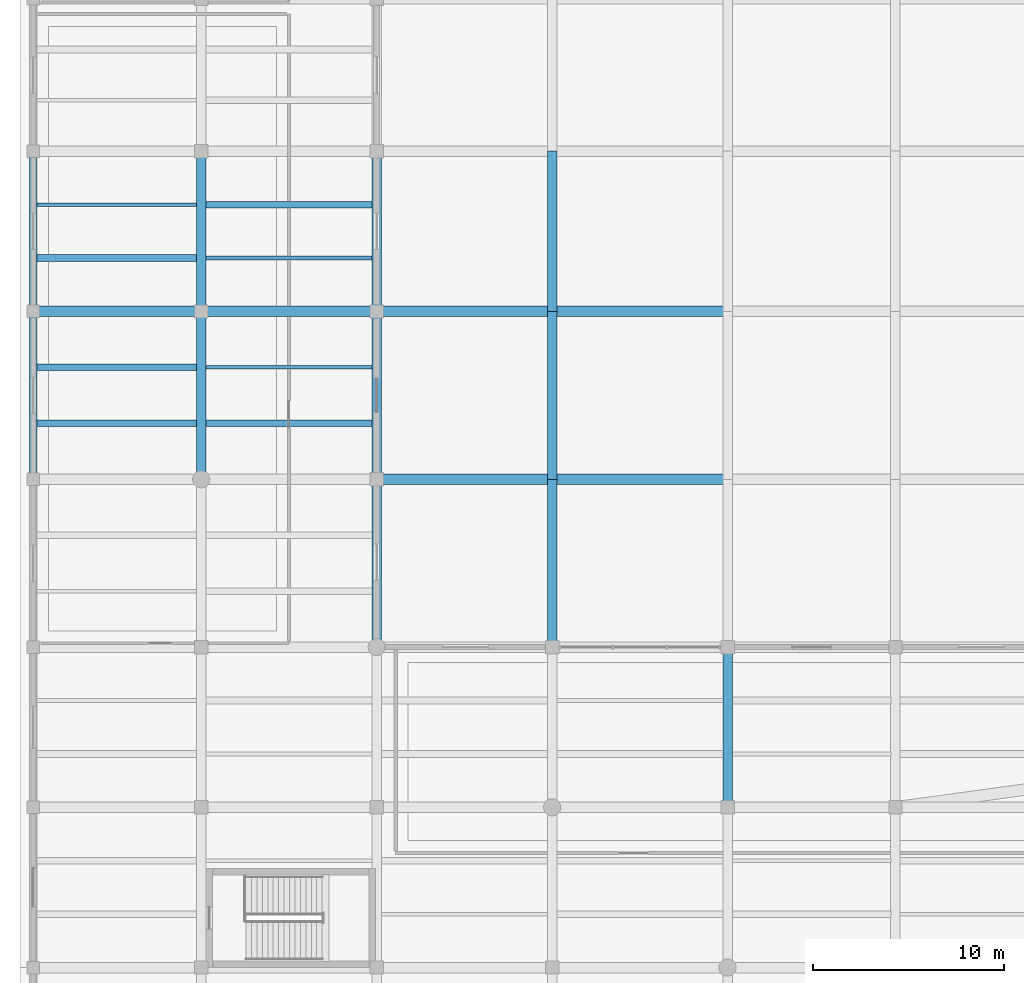
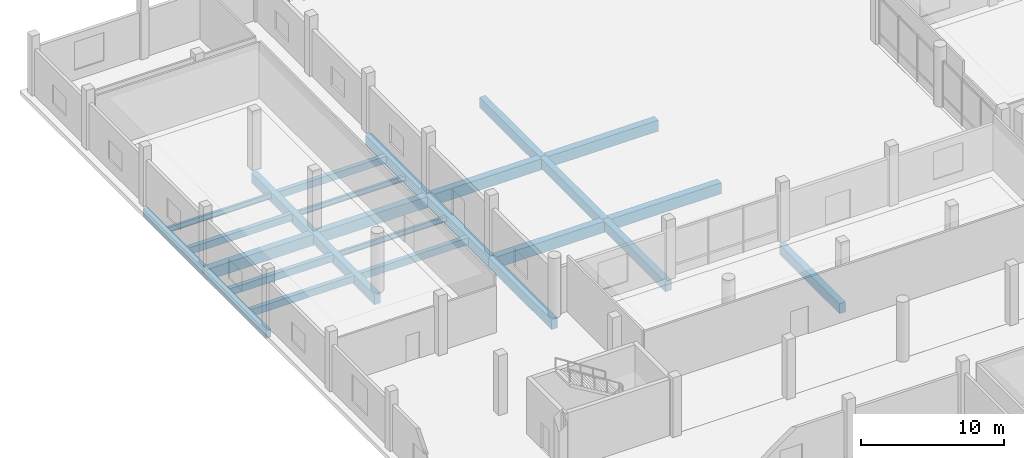
# One storey, part 24 of 73: 25 beams.
"""IFC4 building model written with IfcOpenShell, lengths in metres."""

from ifc_helpers import new_model, si_unit, direction, frame, origin, origin_2d, place, context, subcontext, project, spatial, rectangle, i_section, extrude, material, material_profile, profile_set, type_object, element, save


model = new_model("IFC4")

# Units and contexts
model_context = context("Model", 3, precision=1e-05, world=origin(), true_north=direction((0.0, 1.0)))
body_context = subcontext(model_context, "Body", "Model", "MODEL_VIEW")
ifc_project = project(units=[si_unit("LENGTHUNIT", "METRE"), si_unit("AREAUNIT", "SQUARE_METRE"), si_unit("VOLUMEUNIT", "CUBIC_METRE"), si_unit("PLANEANGLEUNIT", "RADIAN"), si_unit("MASSUNIT", "GRAM", prefix="KILO")], contexts=[model_context])

# Site, building, storey
site_placement = place(None, origin())
site = spatial("IfcSite", under=ifc_project, at=site_placement, CompositionType="ELEMENT")
building_placement = place(site_placement, origin())
building = spatial("IfcBuilding", under=site, at=building_placement, Name="Meriwether Solvik Hall", CompositionType="ELEMENT")
storey_placement = place(building_placement, origin())
storey = spatial("IfcBuildingStorey", under=building, at=storey_placement, Name="L00", CompositionType="ELEMENT", Elevation=0.0)

# Beams
ifc_material_1 = material(Name="Concrete C40/50", Category="concrete")
ifc_material_profile_1 = material_profile(ifc_material_1, rectangle(XDim=0.35009765625, YDim=0.60009765625, at=origin_2d()), Name="RCB-350X600")
ifc_profile_set_1 = profile_set([ifc_material_profile_1], Name="Concrete C40/50")
beam_type_1 = type_object("IfcBeamType", Name="BM-RC-350X600", PredefinedType="JOIST", material=ifc_profile_set_1)
for number, where, z_axis, x_axis, name in (
    (1, (5.39501953125, 86.933349609375, -0.659912109375), (1.0, 0.0, 0.0), (0.0, 1.0, 0.0), "Secondary Floor Joist 1/J_J1 (L00)"),
    (2, (5.39501953125, 89.86669921875, -0.659912109375), (1.0, 0.0, 0.0), (0.0, 1.0, 0.0), "Secondary Floor Joist 1/J_J2 (L00)"),
    (3, (5.39501953125, 95.60009765625, -0.659912109375), (1.0, 0.0, 0.0), (0.0, 1.0, 0.0), "Secondary Floor Joist 1/K_J1 (L00)"),
):
    element("IfcBeam", number, at=place(storey_placement, frame(where, z_axis=z_axis, x_axis=x_axis)), inside=storey, type_object=beam_type_1, Name=name, PredefinedType="JOIST", context=body_context, shape_type="SweptSolid", body=[
        extrude(rectangle(XDim=0.35009765625, YDim=0.60009765625, at=origin_2d()), origin(), (0.0, 0.0, 1.0), 8.35986328125),
    ])
for number, where, z_axis, x_axis, name in (
    (4, (14.2451171875, 86.933349609375, -0.659912109375), (1.0, 0.0, 0.0), (0.0, 1.0, 0.0), "Secondary Floor Joist 2/J_J1 (L00)"),
    (5, (14.2451171875, 98.39990234375, -0.659912109375), (1.0, 0.0, 0.0), (0.0, 1.0, 0.0), "Secondary Floor Joist 2/K_J2 (L00)"),
):
    element("IfcBeam", number, at=place(storey_placement, frame(where, z_axis=z_axis, x_axis=x_axis)), inside=storey, type_object=beam_type_1, Name=name, PredefinedType="JOIST", context=body_context, shape_type="SweptSolid", body=[
        extrude(rectangle(XDim=0.35009765625, YDim=0.60009765625, at=origin_2d()), origin(), (0.0, 0.0, 1.0), 8.7099609375),
    ])
ifc_material_2 = material(Name="Concrete C40/50", Category="concrete")
ifc_material_profile_2 = material_profile(ifc_material_2, rectangle(XDim=0.39990234375, YDim=0.64990234375, at=origin_2d()), Name="RCB-400X650")
ifc_profile_set_2 = profile_set([ifc_material_profile_2], Name="Concrete C40/50")
beam_type_2 = type_object("IfcBeamType", Name="BM-RC-400X650", PredefinedType="SPANDREL", material=ifc_profile_set_2)
beam_1_placement = place(storey_placement, frame((5.199951171875, 84.0, -0.68505859375), z_axis=(0.0, 1.0, 0.0), x_axis=(-1.0, 0.0, 0.0)))
element("IfcBeam", 6, at=beam_1_placement, inside=storey, type_object=beam_type_2, Name="Podium Girder 1:J-K (L00)", PredefinedType="SPANDREL", context=body_context, shape_type="SweptSolid", body=[
    extrude(rectangle(XDim=0.39990234375, YDim=0.64990234375, at=origin_2d()), origin(), (0.0, 0.0, 1.0), 8.800048828125),
])
beam_2_placement = place(storey_placement, frame((5.199951171875, 92.800048828125, -0.68505859375), z_axis=(0.0, 1.0, 0.0), x_axis=(-1.0, 0.0, 0.0)))
element("IfcBeam", 7, at=beam_2_placement, inside=storey, type_object=beam_type_2, Name="Podium Girder 1:K-L (L00)", PredefinedType="SPANDREL", context=body_context, shape_type="SweptSolid", body=[
    extrude(rectangle(XDim=0.39990234375, YDim=0.64990234375, at=origin_2d()), origin(), (0.0, 0.0, 1.0), 8.39990234375),
])
ifc_material_3 = material(Name="Concrete C40/50", Category="concrete")
ifc_material_profile_3 = material_profile(ifc_material_3, rectangle(XDim=0.5, YDim=0.85009765625, at=origin_2d()), Name="RCB-500X850")
ifc_profile_set_3 = profile_set([ifc_material_profile_3], Name="Concrete C40/50")
beam_type_3 = type_object("IfcBeamType", Name="BM-RC-500X850", PredefinedType="BEAM", material=ifc_profile_set_3)
beam_3_placement = place(storey_placement, frame((14.0, 84.0, -0.784912109375), z_axis=(0.0, 1.0, 0.0), x_axis=(-1.0, 0.0, 0.0)))
element("IfcBeam", 8, at=beam_3_placement, inside=storey, type_object=beam_type_3, Name="Podium Girder 2:J-K (L00)", PredefinedType="BEAM", context=body_context, shape_type="SweptSolid", body=[
    extrude(rectangle(XDim=0.5, YDim=0.85009765625, at=origin_2d()), origin(), (0.0, 0.0, 1.0), 8.800048828125),
])
beam_4_placement = place(storey_placement, frame((14.0, 92.800048828125, -0.784912109375), z_axis=(0.0, 1.0, 0.0), x_axis=(-1.0, 0.0, 0.0)))
element("IfcBeam", 9, at=beam_4_placement, inside=storey, type_object=beam_type_3, Name="Podium Girder 2:K-L (L00)", PredefinedType="BEAM", context=body_context, shape_type="SweptSolid", body=[
    extrude(rectangle(XDim=0.5, YDim=0.85009765625, at=origin_2d()), origin(), (0.0, 0.0, 1.0), 8.39990234375),
])
for number, where, z_axis, x_axis, name in (
    (10, (23.199951171875, 75.199951171875, -0.784912109375), (0.0, 1.0, 0.0), (-1.0, 0.0, 0.0), "Podium Girder 3:I-J (L00)"),
    (11, (23.199951171875, 84.0, -0.784912109375), (0.0, 1.0, 0.0), (-1.0, 0.0, 0.0), "Podium Girder 3:J-K (L00)"),
):
    element("IfcBeam", number, at=place(storey_placement, frame(where, z_axis=z_axis, x_axis=x_axis)), inside=storey, type_object=beam_type_3, Name=name, PredefinedType="BEAM", context=body_context, shape_type="SweptSolid", body=[
        extrude(rectangle(XDim=0.5, YDim=0.85009765625, at=origin_2d()), origin(), (0.0, 0.0, 1.0), 8.800048828125),
    ])
beam_5_placement = place(storey_placement, frame((23.199951171875, 92.800048828125, -0.784912109375), z_axis=(0.0, 1.0, 0.0), x_axis=(-1.0, 0.0, 0.0)))
element("IfcBeam", 12, at=beam_5_placement, inside=storey, type_object=beam_type_3, Name="Podium Girder 3:K-L (L00)", PredefinedType="BEAM", context=body_context, shape_type="SweptSolid", body=[
    extrude(rectangle(XDim=0.5, YDim=0.85009765625, at=origin_2d()), origin(), (0.0, 0.0, 1.0), 8.39990234375),
])
for number, where, z_axis, x_axis, name in (
    (13, (32.39990234375, 75.199951171875, -0.784912109375), (0.0, 1.0, 0.0), (-1.0, 0.0, 0.0), "Podium Girder 4:I-J (L00)"),
    (14, (32.39990234375, 84.0, -0.784912109375), (0.0, 1.0, 0.0), (-1.0, 0.0, 0.0), "Podium Girder 4:J-K (L00)"),
):
    element("IfcBeam", number, at=place(storey_placement, frame(where, z_axis=z_axis, x_axis=x_axis)), inside=storey, type_object=beam_type_3, Name=name, PredefinedType="BEAM", context=body_context, shape_type="SweptSolid", body=[
        extrude(rectangle(XDim=0.5, YDim=0.85009765625, at=origin_2d()), origin(), (0.0, 0.0, 1.0), 8.800048828125),
    ])
for number, where, z_axis, x_axis, name in (
    (15, (32.39990234375, 92.800048828125, -0.784912109375), (0.0, 1.0, 0.0), (-1.0, 0.0, 0.0), "Podium Girder 4:K-L (L00)"),
    (16, (41.60009765625, 66.800048828125, -0.784912109375), (0.0, 1.0, 0.0), (-1.0, 0.0, 0.0), "Podium Girder 5:H-I (L00)"),
):
    element("IfcBeam", number, at=place(storey_placement, frame(where, z_axis=z_axis, x_axis=x_axis)), inside=storey, type_object=beam_type_3, Name=name, PredefinedType="BEAM", context=body_context, shape_type="SweptSolid", body=[
        extrude(rectangle(XDim=0.5, YDim=0.85009765625, at=origin_2d()), origin(), (0.0, 0.0, 1.0), 8.39990234375),
    ])
ifc_material_4 = material(Name="Concrete C40/50", Category="concrete")
ifc_material_profile_4 = material_profile(ifc_material_4, rectangle(XDim=0.550048828125, YDim=0.949951171875, at=origin_2d()), Name="RCB-550X950")
ifc_profile_set_4 = profile_set([ifc_material_profile_4], Name="Concrete C40/50")
beam_type_4 = type_object("IfcBeamType", Name="BM-RC-550X950", PredefinedType="BEAM", material=ifc_profile_set_4)
beam_6_placement = place(storey_placement, frame((23.199951171875, 84.0, -0.8349609375), z_axis=(1.0, 0.0, 0.0), x_axis=(0.0, 1.0, 0.0)))
element("IfcBeam", 17, at=beam_6_placement, inside=storey, type_object=beam_type_4, Name="Podium Girder J:3-4 (L00)", PredefinedType="BEAM", context=body_context, shape_type="SweptSolid", body=[
    extrude(rectangle(XDim=0.550048828125, YDim=0.949951171875, at=origin_2d()), origin(), (0.0, 0.0, 1.0), 9.199951171875),
])
beam_7_placement = place(storey_placement, frame((32.39990234375, 84.0, -0.8349609375), z_axis=(1.0, 0.0, 0.0), x_axis=(0.0, 1.0, 0.0)))
element("IfcBeam", 18, at=beam_7_placement, inside=storey, type_object=beam_type_4, Name="Podium Girder J:4-5 (L00)", PredefinedType="BEAM", context=body_context, shape_type="SweptSolid", body=[
    extrude(rectangle(XDim=0.550048828125, YDim=0.949951171875, at=origin_2d()), origin(), (0.0, 0.0, 1.0), 9.2001953125),
])
beam_8_placement = place(storey_placement, frame((5.199951171875, 92.800048828125, -0.8349609375), z_axis=(1.0, 0.0, 0.0), x_axis=(0.0, 1.0, 0.0)))
element("IfcBeam", 19, at=beam_8_placement, inside=storey, type_object=beam_type_4, Name="Podium Girder K:1-2 (L00)", PredefinedType="BEAM", context=body_context, shape_type="SweptSolid", body=[
    extrude(rectangle(XDim=0.550048828125, YDim=0.949951171875, at=origin_2d()), origin(), (0.0, 0.0, 1.0), 8.800048828125),
])
for number, where, z_axis, x_axis, name in (
    (20, (14.0, 92.800048828125, -0.8349609375), (1.0, 0.0, 0.0), (0.0, 1.0, 0.0), "Podium Girder K:2-3 (L00)"),
    (21, (23.199951171875, 92.800048828125, -0.8349609375), (1.0, 0.0, 0.0), (0.0, 1.0, 0.0), "Podium Girder K:3-4 (L00)"),
):
    element("IfcBeam", number, at=place(storey_placement, frame(where, z_axis=z_axis, x_axis=x_axis)), inside=storey, type_object=beam_type_4, Name=name, PredefinedType="BEAM", context=body_context, shape_type="SweptSolid", body=[
        extrude(rectangle(XDim=0.550048828125, YDim=0.949951171875, at=origin_2d()), origin(), (0.0, 0.0, 1.0), 9.199951171875),
    ])
beam_9_placement = place(storey_placement, frame((32.39990234375, 92.800048828125, -0.8349609375), z_axis=(1.0, 0.0, 0.0), x_axis=(0.0, 1.0, 0.0)))
element("IfcBeam", 22, at=beam_9_placement, inside=storey, type_object=beam_type_4, Name="Podium Girder K:4-5 (L00)", PredefinedType="BEAM", context=body_context, shape_type="SweptSolid", body=[
    extrude(rectangle(XDim=0.550048828125, YDim=0.949951171875, at=origin_2d()), origin(), (0.0, 0.0, 1.0), 9.2001953125),
])
ifc_material_5 = material(Name="Steel A992 Grade 50", Category="steel")
ifc_material_profile_5 = material_profile(ifc_material_5, i_section(OverallWidth=0.19091796875, OverallDepth=0.45703125, WebThickness=0.009033203125, FlangeThickness=0.014404296875, at=origin_2d()), Name="W18X50")
ifc_profile_set_5 = profile_set([ifc_material_profile_5], Name="Steel A992 Grade 50")
beam_type_5 = type_object("IfcBeamType", Name="BM-STL-W18X50", PredefinedType="JOIST", material=ifc_profile_set_5)
beam_10_placement = place(storey_placement, frame((5.39501953125, 98.39990234375, -0.58837890625), z_axis=(1.0, 0.0, 0.0), x_axis=(0.0, 1.0, 0.0)))
element("IfcBeam", 23, at=beam_10_placement, inside=storey, type_object=beam_type_5, Name="Secondary Floor Joist 1/K_J2 (L00)", PredefinedType="JOIST", context=body_context, shape_type="SweptSolid", body=[
    extrude(i_section(OverallWidth=0.19091796875, OverallDepth=0.45703125, WebThickness=0.009033203125, FlangeThickness=0.014404296875, at=origin_2d()), origin(), (0.0, 0.0, 1.0), 8.35986328125),
])
for number, where, z_axis, x_axis, name in (
    (24, (14.2451171875, 89.86669921875, -0.58837890625), (1.0, 0.0, 0.0), (0.0, 1.0, 0.0), "Secondary Floor Joist 2/J_J2 (L00)"),
    (25, (14.2451171875, 95.60009765625, -0.58837890625), (1.0, 0.0, 0.0), (0.0, 1.0, 0.0), "Secondary Floor Joist 2/K_J1 (L00)"),
):
    element("IfcBeam", number, at=place(storey_placement, frame(where, z_axis=z_axis, x_axis=x_axis)), inside=storey, type_object=beam_type_5, Name=name, PredefinedType="JOIST", context=body_context, shape_type="SweptSolid", body=[
        extrude(i_section(OverallWidth=0.19091796875, OverallDepth=0.45703125, WebThickness=0.009033203125, FlangeThickness=0.014404296875, at=origin_2d()), origin(), (0.0, 0.0, 1.0), 8.7099609375),
    ])

save(model, "model.ifc")
